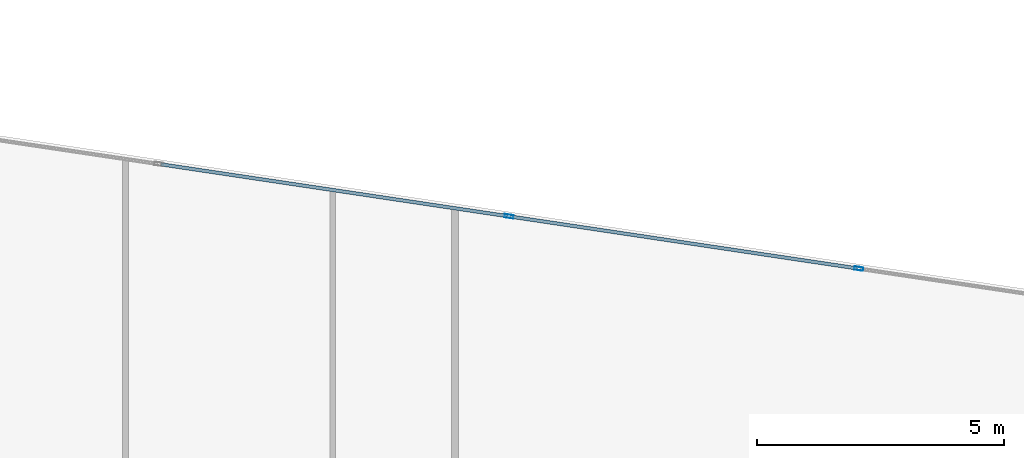
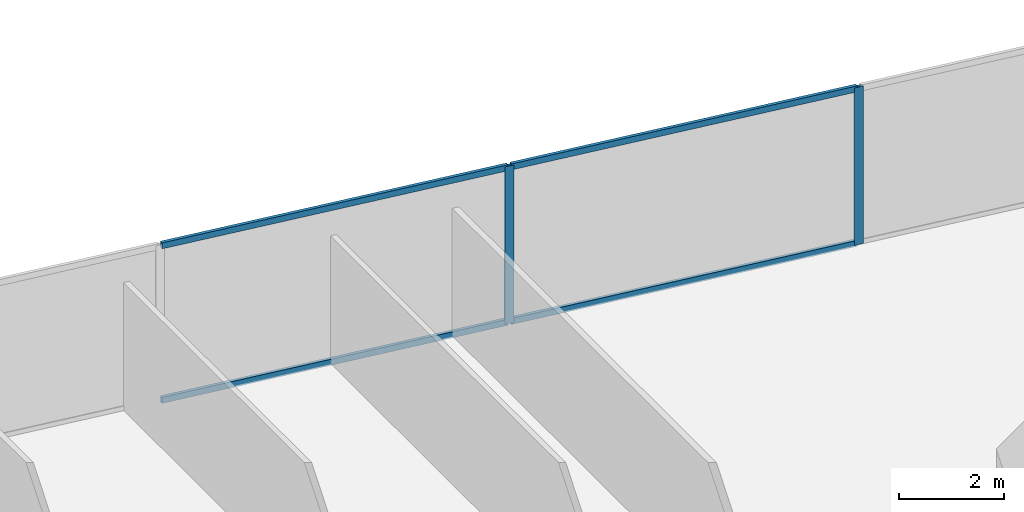
# One storey, part 22 of 29: 6 members, 1 element without a shape of its own.
"""IFC4 building model written with IfcOpenShell, lengths in metres."""

from ifc_helpers import new_model, si_unit, direction, frame, origin, origin_2d, place, context, subcontext, project, spatial, hollow_rectangle, extrude, source, transform, mapped, material, material_profile, profile_set, type_object, type_shapes, element, aggregate, save


model = new_model("IFC4")

# Units and contexts
model_context = context("Model", 3, precision=1e-05, world=origin(), true_north=direction((0.0, 1.0)))
body_context = subcontext(model_context, "Body", "Model", "MODEL_VIEW")
ifc_project = project(units=[si_unit("LENGTHUNIT", "METRE"), si_unit("AREAUNIT", "SQUARE_METRE"), si_unit("VOLUMEUNIT", "CUBIC_METRE"), si_unit("PLANEANGLEUNIT", "RADIAN"), si_unit("MASSUNIT", "GRAM", prefix="KILO")], contexts=[model_context])

# Site, building, storey
site_placement = place(None, origin())
site = spatial("IfcSite", under=ifc_project, at=site_placement, CompositionType="ELEMENT")
building_placement = place(site_placement, origin())
building = spatial("IfcBuilding", under=site, at=building_placement, Name="Krantzveldt Concourse Tower", CompositionType="ELEMENT")
storey_placement = place(building_placement, frame((0.0, 0.0, 68.449951171875)))
storey = spatial("IfcBuildingStorey", under=building, at=storey_placement, Name="L16", CompositionType="ELEMENT", Elevation=68.449951171875)

# Curtain wall, members
ifc_material = material(Name="Anodised aluminium 6063-T6", Category="aluminium")
curtain_wall_type = type_object("IfcCurtainWallType", Name="CW2", PredefinedType="USERDEFINED", material=ifc_material)
curtain_wall_placement = place(storey_placement, origin())
curtain_wall = element("IfcCurtainWall", 1, at=curtain_wall_placement, inside=storey, type_object=curtain_wall_type, Name="CW-L16-F10", ObjectType="UNITISED CURTAIN WALL", PredefinedType="USERDEFINED")
ifc_material_profile_1 = material_profile(ifc_material, hollow_rectangle(XDim=0.070068359375, YDim=0.139892578125, WallThickness=0.0048828125, at=origin_2d()), Name="Anodised aluminium 6063-T6", Category="aluminium")
ifc_profile_set_1 = profile_set([ifc_material_profile_1], Name="Anodised aluminium 6063-T6 - ALU-TRAN 140x70x5")
member_type_1 = type_object("IfcMemberType", Name="CW-TRN-150", PredefinedType="USERDEFINED", material=ifc_profile_set_1)
shared_shape_1 = source(origin(), body_context, "Body", "SweptSolid", [
    extrude(hollow_rectangle(XDim=0.070068359375, YDim=0.139892578125, WallThickness=0.0048828125, at=origin_2d()), origin(), (0.0, 0.0, 1.0), 7.0966796875),
])
type_shapes(member_type_1, [shared_shape_1])
member_1_placement = place(storey_placement, frame((53.8232421875, 49.222900390625, 0.03515625), z_axis=(-0.989013684865, 0.147823987056, 0.0), x_axis=(-0.147823987056, -0.989013684865, 0.0)))
member_1 = element("IfcMember", 2, at=member_1_placement, type_object=member_type_1, Name="CW-Z12 transom 2.1", ObjectType="TRANSOM", PredefinedType="USERDEFINED", context=body_context, shape_type="MappedRepresentation", body=[
    mapped(shared_shape_1, transform((0.0, 0.0, 0.0), x_axis=(1.0, 0.0, 0.0), y_axis=(0.0, 1.0, 0.0), z_axis=(0.0, 0.0, 1.0), scale=1.0)),
])
member_2_placement = place(storey_placement, frame((53.8232421875, 49.222900390625, 3.635009765625), z_axis=(-0.989013684865, 0.147823987056, 0.0), x_axis=(-0.147823987056, -0.989013684865, 0.0)))
member_2 = element("IfcMember", 3, at=member_2_placement, type_object=member_type_1, Name="CW-Z12 transom 2.2", ObjectType="TRANSOM", PredefinedType="USERDEFINED", context=body_context, shape_type="MappedRepresentation", body=[
    mapped(shared_shape_1, transform((0.0, 0.0, 0.0), x_axis=(1.0, 0.0, 0.0), y_axis=(0.0, 1.0, 0.0), z_axis=(0.0, 0.0, 1.0), scale=1.0)),
])
member_3_placement = place(storey_placement, frame((46.7353515625, 50.2822265625, 0.03515625), z_axis=(-0.989013684865, 0.147823987056, 0.0), x_axis=(-0.147823987056, -0.989013684865, 0.0)))
member_3 = element("IfcMember", 4, at=member_3_placement, type_object=member_type_1, Name="CW-Z12 transom 3.1", ObjectType="TRANSOM", PredefinedType="USERDEFINED", context=body_context, shape_type="MappedRepresentation", body=[
    mapped(shared_shape_1, transform((0.0, 0.0, 0.0), x_axis=(1.0, 0.0, 0.0), y_axis=(0.0, 1.0, 0.0), z_axis=(0.0, 0.0, 1.0), scale=1.0)),
])
member_4_placement = place(storey_placement, frame((46.7353515625, 50.2822265625, 3.635009765625), z_axis=(-0.989013684865, 0.147823987056, 0.0), x_axis=(-0.147823987056, -0.989013684865, 0.0)))
member_4 = element("IfcMember", 5, at=member_4_placement, type_object=member_type_1, Name="CW-Z12 transom 3.2", ObjectType="TRANSOM", PredefinedType="USERDEFINED", context=body_context, shape_type="MappedRepresentation", body=[
    mapped(shared_shape_1, transform((0.0, 0.0, 0.0), x_axis=(1.0, 0.0, 0.0), y_axis=(0.0, 1.0, 0.0), z_axis=(0.0, 0.0, 1.0), scale=1.0)),
])
ifc_material_profile_2 = material_profile(ifc_material, hollow_rectangle(XDim=0.070068359375, YDim=0.179931640625, WallThickness=0.0048828125, at=origin_2d()), Name="Anodised aluminium 6063-T6", Category="aluminium")
ifc_profile_set_2 = profile_set([ifc_material_profile_2], Name="Anodised aluminium 6063-T6 - ALU-MULL 180x70x5")
member_type_2 = type_object("IfcMemberType", Name="CW-MUL-180", PredefinedType="MULLION", material=ifc_profile_set_2)
shared_shape_2 = source(origin(), body_context, "Body", "SweptSolid", [
    extrude(hollow_rectangle(XDim=0.070068359375, YDim=0.179931640625, WallThickness=0.0048828125, at=origin_2d()), origin(), (0.0, 0.0, 1.0), 3.670166015625),
])
type_shapes(member_type_2, [shared_shape_2])
member_5_placement = place(storey_placement, frame((53.85791015625, 49.2177734375, 0.0), z_axis=(0.0, 0.0, 1.0), x_axis=(-0.147809505412, -0.989015849271, 0.0)))
member_5 = element("IfcMember", 6, at=member_5_placement, type_object=member_type_2, Name="CW-Z12 mullion 2", PredefinedType="MULLION", context=body_context, shape_type="MappedRepresentation", body=[
    mapped(shared_shape_2, transform((0.0, 0.0, 0.0), x_axis=(1.0, 0.0, 0.0), y_axis=(0.0, 1.0, 0.0), z_axis=(0.0, 0.0, 1.0), scale=1.0)),
])
member_6_placement = place(storey_placement, frame((46.769775390625, 50.277099609375, 0.0), z_axis=(0.0, 0.0, 1.0), x_axis=(-0.147809505412, -0.989015849271, 0.0)))
member_6 = element("IfcMember", 7, at=member_6_placement, type_object=member_type_2, Name="CW-Z12 mullion 3", PredefinedType="MULLION", context=body_context, shape_type="MappedRepresentation", body=[
    mapped(shared_shape_2, transform((0.0, 0.0, 0.0), x_axis=(1.0, 0.0, 0.0), y_axis=(0.0, 1.0, 0.0), z_axis=(0.0, 0.0, 1.0), scale=1.0)),
])
aggregate(curtain_wall, [member_5, member_6, member_1, member_2, member_3, member_4])

save(model, "model.ifc")
